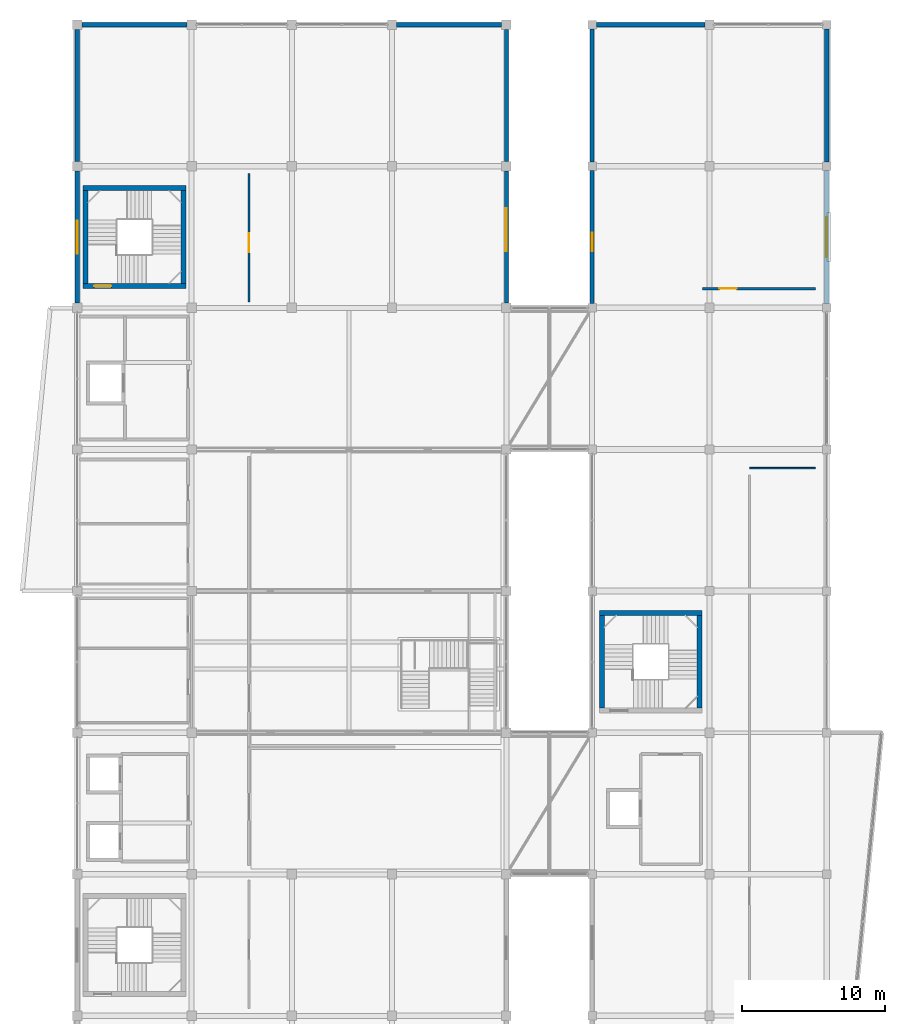
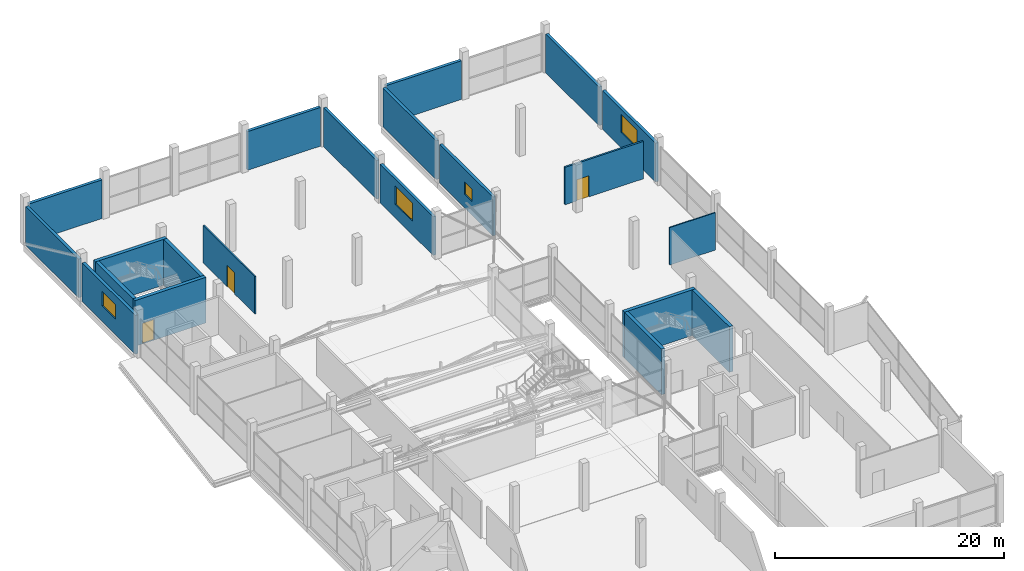
# One storey, part 54 of 66: 21 walls, 4 windows, 3 doors, 7 openings.
"""IFC4 building model written with IfcOpenShell, lengths in metres."""

from ifc_helpers import new_model, si_unit, direction, frame, frame_2d, origin, place, context, subcontext, project, spatial, rectangle, extrude, material, layer, layer_set, type_object, element, fill, save


model = new_model("IFC4")

# Units and contexts
model_context = context("Model", 3, precision=1e-05, world=origin(), true_north=direction((0.0, 1.0)))
body_context = subcontext(model_context, "Body", "Model", "MODEL_VIEW")
ifc_project = project(units=[si_unit("LENGTHUNIT", "METRE"), si_unit("AREAUNIT", "SQUARE_METRE"), si_unit("VOLUMEUNIT", "CUBIC_METRE"), si_unit("PLANEANGLEUNIT", "RADIAN"), si_unit("MASSUNIT", "GRAM", prefix="KILO")], contexts=[model_context])

# Site, building, storey
site_placement = place(None, origin())
site = spatial("IfcSite", under=ifc_project, at=site_placement, CompositionType="ELEMENT")
building_placement = place(site_placement, origin())
building = spatial("IfcBuilding", under=site, at=building_placement, Name="Sillaruma Civic Art Gallery", CompositionType="ELEMENT")
storey_placement = place(building_placement, frame((0.0, 0.0, 57.1201171875)))
storey = spatial("IfcBuildingStorey", under=building, at=storey_placement, Name="L11", CompositionType="ELEMENT", Elevation=57.1201171875)

# Wall, opening, door
ifc_material_1 = material(Name="Concrete H40 (40 MPa)", Category="concrete")
ifc_layer_1 = layer(ifc_material_1, 0.35009765625, Name="Concrete H40 (40 MPa)")
ifc_layer_set_1 = layer_set([ifc_layer_1], Name="Concrete H40 (40 MPa)")
wall_type_1 = type_object("IfcWallType", Name="WAL-CORE-350", PredefinedType="SHEAR", material=ifc_layer_set_1)
wall_1_placement = place(storey_placement, frame((62.409912109375, 80.735107421875, 0.0), z_axis=(0.0, 0.0, 1.0), x_axis=(1.0, 0.0, 0.0)))
wall_1 = element("IfcWall", 1, at=wall_1_placement, inside=storey, type_object=wall_type_1, Name="Stair Core Shear Wall W-CORE-350 (ST-02:L11:S)", PredefinedType="SHEAR", context=body_context, shape_type="SweptSolid", body=[
    extrude(rectangle(XDim=7.18017578125, YDim=0.35009765625, at=frame_2d((3.590087890625, 0.0))), origin(), (0.0, 0.0, 1.0), 4.869873046875),
])
opening_1_placement = place(wall_1_placement, frame((0.77001953125, 0.0, 0.0)))
opening_1 = element("IfcOpeningElement", 2, at=opening_1_placement, cuts=wall_1, Name="Opening D-STAIR", PredefinedType="OPENING", context=body_context, shape_type="SweptSolid", body=[
    extrude(rectangle(XDim=1.199951171875, YDim=2.199951171875, at=frame_2d((0.60009765625, 1.10009765625))), frame((0.0, 0.18505859375, 0.0), z_axis=(0.0, -1.0, 0.0), x_axis=(1.0, 0.0, 0.0)), (0.0, 0.0, 1.0), 0.3701171875),
])
ifc_material_2 = material(Name="Galvanised Steel ASTM A653 Gr.50", Category="steel")
door_type_1 = type_object("IfcDoorType", Name="DOR-STAIR-120", OperationType="NOTDEFINED", PredefinedType="DOOR", material=ifc_material_2)
door_1_placement = place(opening_1_placement, origin())
door_1 = element("IfcDoor", 3, at=door_1_placement, inside=storey, type_object=door_type_1, Name="Protected Stair Fire Door (ST-02:L11)", OperationType="SINGLE_SWING_LEFT", OverallHeight=2.199951171875, OverallWidth=1.199951171875, PredefinedType="DOOR", context=body_context, shape_type="SweptSolid", body=[
    extrude(rectangle(XDim=1.199951171875, YDim=2.199951171875, at=frame_2d((0.60009765625, 1.10009765625))), frame((0.0, 0.02490234375, 0.0), z_axis=(0.0, -1.0, 0.0), x_axis=(1.0, 0.0, 0.0)), (0.0, 0.0, 1.0), 0.050048828125),
])
fill(opening_1, door_1)

# Walls
wall_2_placement = place(storey_placement, frame((62.409912109375, 87.56494140625, 0.0), z_axis=(0.0, 0.0, 1.0), x_axis=(1.0, 0.0, 0.0)))
element("IfcWall", 4, at=wall_2_placement, inside=storey, type_object=wall_type_1, Name="Stair Core Shear Wall W-CORE-350 (ST-02:L11:N)", PredefinedType="SHEAR", context=body_context, shape_type="SweptSolid", body=[
    extrude(rectangle(XDim=7.18017578125, YDim=0.35009765625, at=frame_2d((3.590087890625, 0.0))), origin(), (0.0, 0.0, 1.0), 4.869873046875),
])
for number, where, z_axis, x_axis, name in (
    (5, (62.5849609375, 80.909912109375, 0.0), (0.0, 0.0, 1.0), (0.0, 1.0, 0.0), "Stair Core Shear Wall W-CORE-350 (ST-02:L11:W)"),
    (6, (69.4150390625, 80.909912109375, 0.0), (0.0, 0.0, 1.0), (0.0, 1.0, 0.0), "Stair Core Shear Wall W-CORE-350 (ST-02:L11:E)"),
):
    element("IfcWall", number, at=place(storey_placement, frame(where, z_axis=z_axis, x_axis=x_axis)), inside=storey, type_object=wall_type_1, Name=name, PredefinedType="SHEAR", context=body_context, shape_type="SweptSolid", body=[
        extrude(rectangle(XDim=6.47998046875, YDim=0.35009765625, at=frame_2d((3.239990234375, 0.0))), origin(), (0.0, 0.0, 1.0), 4.869873046875),
    ])
wall_3_placement = place(storey_placement, frame((98.510009765625, 57.864990234375, 0.0), z_axis=(0.0, 0.0, 1.0), x_axis=(1.0, 0.0, 0.0)))
element("IfcWall", 7, at=wall_3_placement, inside=storey, type_object=wall_type_1, Name="Stair Core Shear Wall W-CORE-350 (ST-04:L11:N)", PredefinedType="SHEAR", context=body_context, shape_type="SweptSolid", body=[
    extrude(rectangle(XDim=7.179931640625, YDim=0.35009765625, at=frame_2d((3.58984375, 0.0))), origin(), (0.0, 0.0, 1.0), 4.869873046875),
])
for number, where, z_axis, x_axis, name in (
    (8, (98.68505859375, 51.2099609375, 0.0), (0.0, 0.0, 1.0), (0.0, 1.0, 0.0), "Stair Core Shear Wall W-CORE-350 (ST-04:L11:W)"),
    (9, (105.514892578125, 51.2099609375, 0.0), (0.0, 0.0, 1.0), (0.0, 1.0, 0.0), "Stair Core Shear Wall W-CORE-350 (ST-04:L11:E)"),
):
    element("IfcWall", number, at=place(storey_placement, frame(where, z_axis=z_axis, x_axis=x_axis)), inside=storey, type_object=wall_type_1, Name=name, PredefinedType="SHEAR", context=body_context, shape_type="SweptSolid", body=[
        extrude(rectangle(XDim=6.47998046875, YDim=0.35009765625, at=frame_2d((3.239990234375, 0.0))), origin(), (0.0, 0.0, 1.0), 4.869873046875),
    ])

# Wall, opening, window
ifc_material_3 = material(Name="Concrete H35 (35 MPa)", Category="concrete")
ifc_layer_2 = layer(ifc_material_3, 0.159912109375, Name="Concrete backup", Category="concrete")
ifc_material_4 = material(Name="Mineral Wool Thermal Insulation", Category="insulation")
ifc_layer_3 = layer(ifc_material_4, 0.090087890625, Name="Thermal insulation", Category="insulation")
ifc_material_5 = material(Name="Anodised Zinc-Aluminium Alloy", Category="aluminium")
ifc_layer_4 = layer(ifc_material_5, 0.030029296875, Name="Rainscreen finish", Category="aluminium")
ifc_layer_set_2 = layer_set([ifc_layer_2, ifc_layer_3, ifc_layer_4], Name="W-EXT-280")
wall_type_2 = type_object("IfcWallType", Name="WAL-EXT-280", PredefinedType="SOLIDWALL", material=ifc_layer_set_2)
wall_4_placement = place(storey_placement, frame((92.0, 79.52490234375, 0.0), z_axis=(0.0, 0.0, 1.0), x_axis=(0.0, 1.0, 0.0)))
wall_4 = element("IfcWall", 10, at=wall_4_placement, inside=storey, type_object=wall_type_2, Name="Exterior Wall W-EXT-280 (EW-L11-WBE-7)", PredefinedType="SOLIDWALL", context=body_context, shape_type="SweptSolid", body=[
    extrude(rectangle(XDim=9.25, YDim=0.280029296875, at=frame_2d((4.625, 0.0))), origin(), (0.0, 0.0, 1.0), 4.119873046875),
])
opening_2_placement = place(wall_4_placement, frame((3.625, 0.0, 1.449951171875)))
opening_2 = element("IfcOpeningElement", 11, at=opening_2_placement, cuts=wall_4, Name="Opening WN-10", PredefinedType="OPENING", context=body_context, shape_type="SweptSolid", body=[
    extrude(rectangle(XDim=3.0, YDim=1.949951171875, at=frame_2d((1.5, 0.97509765625))), frame((0.0, 0.14990234375, 0.0), z_axis=(0.0, -1.0, 0.0), x_axis=(1.0, 0.0, 0.0)), (0.0, 0.0, 1.0), 0.300048828125),
])
ifc_material_6 = material(Name="Thermally Broken Extruded Aluminium 6063-T6", Category="aluminium")
window_type_1 = type_object("IfcWindowType", Name="WIN-W10", PartitioningType="SINGLE_PANEL", PredefinedType="WINDOW", material=ifc_material_6)
window_1_placement = place(opening_2_placement, origin())
window_1 = element("IfcWindow", 12, at=window_1_placement, inside=storey, type_object=window_type_1, Name="Window WN-10 (EW-L11-WBE-7-1)", OverallHeight=1.949951171875, OverallWidth=3.0, PartitioningType="SINGLE_PANEL", PredefinedType="WINDOW", context=body_context, shape_type="SweptSolid", body=[
    extrude(rectangle(XDim=3.0, YDim=1.949951171875, at=frame_2d((1.5, 0.97509765625))), frame((0.0, 0.030029296875, 0.0), z_axis=(0.0, -1.0, 0.0), x_axis=(1.0, 0.0, 0.0)), (0.0, 0.0, 1.0), 0.06005859375),
])
fill(opening_2, window_1)

# Wall
wall_5_placement = place(storey_placement, frame((92.0, 89.425048828125, 0.0), z_axis=(0.0, 0.0, 1.0), x_axis=(0.0, 1.0, 0.0)))
element("IfcWall", 13, at=wall_5_placement, inside=storey, type_object=wall_type_2, Name="Exterior Wall W-EXT-280 (EW-L11-WBE-8)", PredefinedType="SOLIDWALL", context=body_context, shape_type="SweptSolid", body=[
    extrude(rectangle(XDim=9.25, YDim=0.280029296875, at=frame_2d((4.625, 0.0))), origin(), (0.0, 0.0, 1.0), 4.119873046875),
])

# Wall, opening, window
wall_6_placement = place(storey_placement, frame((98.0, 79.5, 0.0), z_axis=(0.0, 0.0, 1.0), x_axis=(0.0, 1.0, 0.0)))
wall_6 = element("IfcWall", 14, at=wall_6_placement, inside=storey, type_object=wall_type_2, Name="Exterior Wall W-EXT-280 (EW-L11-EBW-7)", PredefinedType="SOLIDWALL", context=body_context, shape_type="SweptSolid", body=[
    extrude(rectangle(XDim=9.300048828125, YDim=0.280029296875, at=frame_2d((4.64990234375, 0.0))), origin(), (0.0, 0.0, 1.0), 4.119873046875),
])
opening_3_placement = place(wall_6_placement, frame((3.64990234375, 0.0, 1.449951171875)))
opening_3 = element("IfcOpeningElement", 15, at=opening_3_placement, cuts=wall_6, Name="Opening WN-17", PredefinedType="OPENING", context=body_context, shape_type="SweptSolid", body=[
    extrude(rectangle(XDim=1.300048828125, YDim=1.300048828125, at=frame_2d((0.64990234375, 0.64990234375))), frame((0.0, 0.14990234375, 0.0), z_axis=(0.0, -1.0, 0.0), x_axis=(1.0, 0.0, 0.0)), (0.0, 0.0, 1.0), 0.300048828125),
])
window_type_2 = type_object("IfcWindowType", Name="WIN-W17", PartitioningType="SINGLE_PANEL", PredefinedType="WINDOW", material=ifc_material_6)
window_2_placement = place(opening_3_placement, origin())
window_2 = element("IfcWindow", 16, at=window_2_placement, inside=storey, type_object=window_type_2, Name="Window WN-17 (EW-L11-EBW-7-1)", OverallHeight=1.300048828125, OverallWidth=1.300048828125, PartitioningType="SINGLE_PANEL", PredefinedType="WINDOW", context=body_context, shape_type="SweptSolid", body=[
    extrude(rectangle(XDim=1.300048828125, YDim=1.300048828125, at=frame_2d((0.64990234375, 0.64990234375))), frame((0.0, 0.030029296875, 0.0), z_axis=(0.0, -1.0, 0.0), x_axis=(1.0, 0.0, 0.0)), (0.0, 0.0, 1.0), 0.06005859375),
])
fill(opening_3, window_2)

# Walls
wall_7_placement = place(storey_placement, frame((98.0, 89.39990234375, 0.0), z_axis=(0.0, 0.0, 1.0), x_axis=(0.0, 1.0, 0.0)))
element("IfcWall", 17, at=wall_7_placement, inside=storey, type_object=wall_type_2, Name="Exterior Wall W-EXT-280 (EW-L11-EBW-8)", PredefinedType="SOLIDWALL", context=body_context, shape_type="SweptSolid", body=[
    extrude(rectangle(XDim=9.300048828125, YDim=0.280029296875, at=frame_2d((4.64990234375, 0.0))), origin(), (0.0, 0.0, 1.0), 4.119873046875),
])
ifc_layer_5 = layer(ifc_material_3, 0.169921875, Name="Concrete backup", Category="concrete")
ifc_layer_6 = layer(ifc_material_4, 0.090087890625, Name="Thermal insulation", Category="insulation")
ifc_layer_7 = layer(ifc_material_5, 0.030029296875, Name="Rainscreen finish", Category="aluminium")
ifc_layer_set_3 = layer_set([ifc_layer_5, ifc_layer_6, ifc_layer_7], Name="W-EXT-290")
wall_type_3 = type_object("IfcWallType", Name="WAL-EXT-290", PredefinedType="SOLIDWALL", material=ifc_layer_set_3)
wall_8_placement = place(storey_placement, frame((62.0, 89.425048828125, 0.0), z_axis=(0.0, 0.0, 1.0), x_axis=(0.0, 1.0, 0.0)))
element("IfcWall", 18, at=wall_8_placement, inside=storey, type_object=wall_type_3, Name="Exterior Wall W-EXT-290 (EW-L11-WBW-8)", PredefinedType="SOLIDWALL", context=body_context, shape_type="SweptSolid", body=[
    extrude(rectangle(XDim=9.25, YDim=0.2900390625, at=frame_2d((4.625, 0.0))), origin(), (0.0, 0.0, 1.0), 4.119873046875),
])
wall_9_placement = place(storey_placement, frame((114.39990234375, 89.39990234375, 0.0), z_axis=(0.0, 0.0, 1.0), x_axis=(0.0, 1.0, 0.0)))
element("IfcWall", 19, at=wall_9_placement, inside=storey, type_object=wall_type_3, Name="Exterior Wall W-EXT-290 (EW-L11-EBE-8)", PredefinedType="SOLIDWALL", context=body_context, shape_type="SweptSolid", body=[
    extrude(rectangle(XDim=9.300048828125, YDim=0.2900390625, at=frame_2d((4.64990234375, 0.0))), origin(), (0.0, 0.0, 1.0), 4.119873046875),
])

# Wall, opening, window
ifc_material_7 = material(Name="Precast Concrete H35 (35 MPa)", Category="concrete")
ifc_layer_8 = layer(ifc_material_7, 0.179931640625, Name="Precast backup", Category="concrete")
ifc_layer_9 = layer(ifc_material_4, 0.090087890625, Name="Thermal insulation", Category="insulation")
ifc_material_8 = material(Name="Comanche Granitic Ashlar Stone", Category="masonry")
ifc_layer_10 = layer(ifc_material_8, 0.030029296875, Name="Rainscreen cladding", Category="masonry")
ifc_layer_set_4 = layer_set([ifc_layer_8, ifc_layer_9, ifc_layer_10], Name="W-EXT-300")
wall_type_4 = type_object("IfcWallType", Name="WAL-EXT-300", PredefinedType="SOLIDWALL", material=ifc_layer_set_4)
wall_10_placement = place(storey_placement, frame((62.0, 79.52490234375, 0.0), z_axis=(0.0, 0.0, 1.0), x_axis=(0.0, 1.0, 0.0)))
wall_10 = element("IfcWall", 20, at=wall_10_placement, inside=storey, type_object=wall_type_4, Name="Exterior Wall W-EXT-300 (EW-L11-WBW-7)", PredefinedType="SOLIDWALL", context=body_context, shape_type="SweptSolid", body=[
    extrude(rectangle(XDim=9.25, YDim=0.300048828125, at=frame_2d((4.625, 0.0))), origin(), (0.0, 0.0, 1.0), 4.119873046875),
])
opening_4_placement = place(wall_10_placement, frame((3.47509765625, 0.0, 1.64990234375)))
opening_4 = element("IfcOpeningElement", 21, at=opening_4_placement, cuts=wall_10, Name="Opening WN-12", PredefinedType="OPENING", context=body_context, shape_type="SweptSolid", body=[
    extrude(rectangle(XDim=2.300048828125, YDim=1.550048828125, at=frame_2d((1.14990234375, 0.77490234375))), frame((0.0, 0.159912109375, 0.0), z_axis=(0.0, -1.0, 0.0), x_axis=(1.0, 0.0, 0.0)), (0.0, 0.0, 1.0), 0.320068359375),
])
window_type_3 = type_object("IfcWindowType", Name="WIN-W12", PartitioningType="SINGLE_PANEL", PredefinedType="WINDOW", material=ifc_material_6)
window_3_placement = place(opening_4_placement, origin())
window_3 = element("IfcWindow", 22, at=window_3_placement, inside=storey, type_object=window_type_3, Name="Window WN-12 (EW-L11-WBW-7-1)", OverallHeight=1.550048828125, OverallWidth=2.300048828125, PartitioningType="SINGLE_PANEL", PredefinedType="WINDOW", context=body_context, shape_type="SweptSolid", body=[
    extrude(rectangle(XDim=2.300048828125, YDim=1.550048828125, at=frame_2d((1.14990234375, 0.77490234375))), frame((0.0, 0.030029296875, 0.0), z_axis=(0.0, -1.0, 0.0), x_axis=(1.0, 0.0, 0.0)), (0.0, 0.0, 1.0), 0.06005859375),
])
fill(opening_4, window_3)

# Walls
for number, where, z_axis, x_axis, name in (
    (23, (62.324951171875, 99.0, 0.0), (0.0, 0.0, 1.0), (1.0, 0.0, 0.0), "Exterior Wall W-EXT-300 (EW-L11-WBN-1)"),
    (24, (84.324951171875, 99.0, 0.0), (0.0, 0.0, 1.0), (1.0, 0.0, 0.0), "Exterior Wall W-EXT-300 (EW-L11-WBN-4)"),
):
    element("IfcWall", number, at=place(storey_placement, frame(where, z_axis=z_axis, x_axis=x_axis)), inside=storey, type_object=wall_type_4, Name=name, PredefinedType="SOLIDWALL", context=body_context, shape_type="SweptSolid", body=[
        extrude(rectangle(XDim=7.35009765625, YDim=0.300048828125, at=frame_2d((3.675048828125, 0.0))), origin(), (0.0, 0.0, 1.0), 4.119873046875),
    ])

# Wall, opening, window
wall_11_placement = place(storey_placement, frame((114.39990234375, 79.5, 0.0), z_axis=(0.0, 0.0, 1.0), x_axis=(0.0, 1.0, 0.0)))
wall_11 = element("IfcWall", 25, at=wall_11_placement, inside=storey, type_object=wall_type_4, Name="Exterior Wall W-EXT-300 (EW-L11-EBE-7)", PredefinedType="SOLIDWALL", context=body_context, shape_type="SweptSolid", body=[
    extrude(rectangle(XDim=9.300048828125, YDim=0.300048828125, at=frame_2d((4.64990234375, 0.0))), origin(), (0.0, 0.0, 1.0), 4.119873046875),
])
opening_5_placement = place(wall_11_placement, frame((3.25, 0.0, 1.64990234375)))
opening_5 = element("IfcOpeningElement", 26, at=opening_5_placement, cuts=wall_11, Name="Opening WN-09", PredefinedType="OPENING", context=body_context, shape_type="SweptSolid", body=[
    extrude(rectangle(XDim=2.800048828125, YDim=1.89990234375, at=frame_2d((1.39990234375, 0.949951171875))), frame((0.0, 0.159912109375, 0.0), z_axis=(0.0, -1.0, 0.0), x_axis=(1.0, 0.0, 0.0)), (0.0, 0.0, 1.0), 0.320068359375),
])
window_type_4 = type_object("IfcWindowType", Name="WIN-W09", PartitioningType="SINGLE_PANEL", PredefinedType="WINDOW", material=ifc_material_6)
window_4_placement = place(opening_5_placement, origin())
window_4 = element("IfcWindow", 27, at=window_4_placement, inside=storey, type_object=window_type_4, Name="Window WN-09 (EW-L11-EBE-7-1)", OverallHeight=1.89990234375, OverallWidth=2.800048828125, PartitioningType="SINGLE_PANEL", PredefinedType="WINDOW", context=body_context, shape_type="SweptSolid", body=[
    extrude(rectangle(XDim=2.800048828125, YDim=1.89990234375, at=frame_2d((1.39990234375, 0.949951171875))), frame((0.0, 0.030029296875, 0.0), z_axis=(0.0, -1.0, 0.0), x_axis=(1.0, 0.0, 0.0)), (0.0, 0.0, 1.0), 0.06005859375),
])
fill(opening_5, window_4)

# Walls
wall_12_placement = place(storey_placement, frame((98.300048828125, 99.0, 0.0), z_axis=(0.0, 0.0, 1.0), x_axis=(1.0, 0.0, 0.0)))
element("IfcWall", 28, at=wall_12_placement, inside=storey, type_object=wall_type_4, Name="Exterior Wall W-EXT-300 (EW-L11-EBN-1)", PredefinedType="SOLIDWALL", context=body_context, shape_type="SweptSolid", body=[
    extrude(rectangle(XDim=7.574951171875, YDim=0.300048828125, at=frame_2d((3.78759765625, 0.0))), origin(), (0.0, 0.0, 1.0), 4.119873046875),
])
ifc_material_9 = material(Name="Gypsum Acoustic Board", Category="gypsum")
ifc_layer_11 = layer(ifc_material_9, 0.02490234375, Name="Finish board", Category="gypsum")
ifc_layer_12 = layer(ifc_material_4, 0.06005859375, Name="Acoustic core", Category="insulation")
ifc_material_10 = material(Name="Andean Oak Timber", Category="wood")
ifc_layer_13 = layer(ifc_material_10, 0.02490234375, Name="Gallery lining", Category="wood")
ifc_layer_set_5 = layer_set([ifc_layer_11, ifc_layer_12, ifc_layer_13], Name="W-PT-110")
wall_type_5 = type_object("IfcWallType", Name="WAL-PART-110", PredefinedType="PARTITIONING", material=ifc_layer_set_5)
wall_13_placement = place(storey_placement, frame((109.0, 68.0, 0.0), z_axis=(0.0, 0.0, 1.0), x_axis=(1.0, 0.0, 0.0)))
element("IfcWall", 29, at=wall_13_placement, inside=storey, type_object=wall_type_5, Name="Interior Wall W-PT-110 (L11-STDE2)", PredefinedType="PARTITIONING", context=body_context, shape_type="SweptSolid", body=[
    extrude(rectangle(XDim=4.60009765625, YDim=0.110107421875, at=frame_2d((2.300048828125, 0.0))), origin(), (0.0, 0.0, 1.0), 3.989990234375),
])

# Wall, opening, door
ifc_layer_14 = layer(ifc_material_9, 0.02490234375, Name="Finish board", Category="gypsum")
ifc_layer_15 = layer(ifc_material_4, 0.090087890625, Name="Acoustic core", Category="insulation")
ifc_layer_16 = layer(ifc_material_10, 0.02490234375, Name="Gallery lining", Category="wood")
ifc_layer_set_6 = layer_set([ifc_layer_14, ifc_layer_15, ifc_layer_16], Name="W-PT-140")
wall_type_6 = type_object("IfcWallType", Name="WAL-PART-140", PredefinedType="PARTITIONING", material=ifc_layer_set_6)
wall_14_placement = place(storey_placement, frame((74.0, 79.60009765625, 0.0), z_axis=(0.0, 0.0, 1.0), x_axis=(0.0, 1.0, 0.0)))
wall_14 = element("IfcWall", 30, at=wall_14_placement, inside=storey, type_object=wall_type_6, Name="Interior Wall W-PT-140 (L11-STDW1)", PredefinedType="PARTITIONING", context=body_context, shape_type="SweptSolid", body=[
    extrude(rectangle(XDim=9.0, YDim=0.139892578125, at=frame_2d((4.5, 0.0))), origin(), (0.0, 0.0, 1.0), 3.989990234375),
])
opening_6_placement = place(wall_14_placement, frame((3.5, 0.0, 0.0)))
opening_6 = element("IfcOpeningElement", 31, at=opening_6_placement, cuts=wall_14, Name="Opening D-STD13", PredefinedType="OPENING", context=body_context, shape_type="SweptSolid", body=[
    extrude(rectangle(XDim=1.300048828125, YDim=2.25, at=frame_2d((0.64990234375, 1.125))), frame((0.0, 0.079833984375, 0.0), z_axis=(0.0, -1.0, 0.0), x_axis=(1.0, 0.0, 0.0)), (0.0, 0.0, 1.0), 0.159912109375),
])
door_type_2 = type_object("IfcDoorType", Name="DOR-STD-130", OperationType="NOTDEFINED", PredefinedType="DOOR", material=ifc_material_10)
door_2_placement = place(opening_6_placement, origin())
door_2 = element("IfcDoor", 32, at=door_2_placement, inside=storey, type_object=door_type_2, Name="West Wing North Artist Studio (L11) Door (D-STD13)", OperationType="SINGLE_SWING_RIGHT", OverallHeight=2.25, OverallWidth=1.300048828125, PredefinedType="DOOR", context=body_context, shape_type="SweptSolid", body=[
    extrude(rectangle(XDim=1.300048828125, YDim=2.25, at=frame_2d((0.64990234375, 1.125))), frame((0.0, 0.02490234375, 0.0), z_axis=(0.0, -1.0, 0.0), x_axis=(1.0, 0.0, 0.0)), (0.0, 0.0, 1.0), 0.050048828125),
])
fill(opening_6, door_2)

ifc_layer_17 = layer(ifc_material_9, 0.02490234375, Name="Finish board", Category="gypsum")
ifc_layer_18 = layer(ifc_material_4, 0.1298828125, Name="Acoustic core", Category="insulation")
ifc_layer_19 = layer(ifc_material_10, 0.02490234375, Name="Gallery lining", Category="wood")
ifc_layer_set_7 = layer_set([ifc_layer_17, ifc_layer_18, ifc_layer_19], Name="W-PT-180")
wall_type_7 = type_object("IfcWallType", Name="WAL-PART-180", PredefinedType="PARTITIONING", material=ifc_layer_set_7)
wall_15_placement = place(storey_placement, frame((105.699951171875, 80.550048828125, 0.0), z_axis=(0.0, 0.0, 1.0), x_axis=(1.0, 0.0, 0.0)))
wall_15 = element("IfcWall", 33, at=wall_15_placement, inside=storey, type_object=wall_type_7, Name="Interior Wall W-PT-180 (L11-STDE3)", PredefinedType="PARTITIONING", context=body_context, shape_type="SweptSolid", body=[
    extrude(rectangle(XDim=7.900146484375, YDim=0.179931640625, at=frame_2d((3.9501953125, 0.0))), origin(), (0.0, 0.0, 1.0), 3.989990234375),
])
opening_7_placement = place(wall_15_placement, frame((1.199951171875, 0.0, 0.0)))
opening_7 = element("IfcOpeningElement", 34, at=opening_7_placement, cuts=wall_15, Name="Opening D-STD12", PredefinedType="OPENING", context=body_context, shape_type="SweptSolid", body=[
    extrude(rectangle(XDim=1.199951171875, YDim=2.25, at=frame_2d((0.60009765625, 1.125))), frame((0.0, 0.099853515625, 0.0), z_axis=(0.0, -1.0, 0.0), x_axis=(1.0, 0.0, 0.0)), (0.0, 0.0, 1.0), 0.199951171875),
])
door_type_3 = type_object("IfcDoorType", Name="DOR-STD-120", OperationType="NOTDEFINED", PredefinedType="DOOR", material=ifc_material_10)
door_3_placement = place(opening_7_placement, origin())
door_3 = element("IfcDoor", 35, at=door_3_placement, inside=storey, type_object=door_type_3, Name="East Wing North Artist Studio (L11) Door (D-STD12)", OperationType="SINGLE_SWING_LEFT", OverallHeight=2.25, OverallWidth=1.199951171875, PredefinedType="DOOR", context=body_context, shape_type="SweptSolid", body=[
    extrude(rectangle(XDim=1.199951171875, YDim=2.25, at=frame_2d((0.60009765625, 1.125))), frame((0.0, 0.02490234375, 0.0), z_axis=(0.0, -1.0, 0.0), x_axis=(1.0, 0.0, 0.0)), (0.0, 0.0, 1.0), 0.050048828125),
])
fill(opening_7, door_3)

save(model, "model.ifc")
